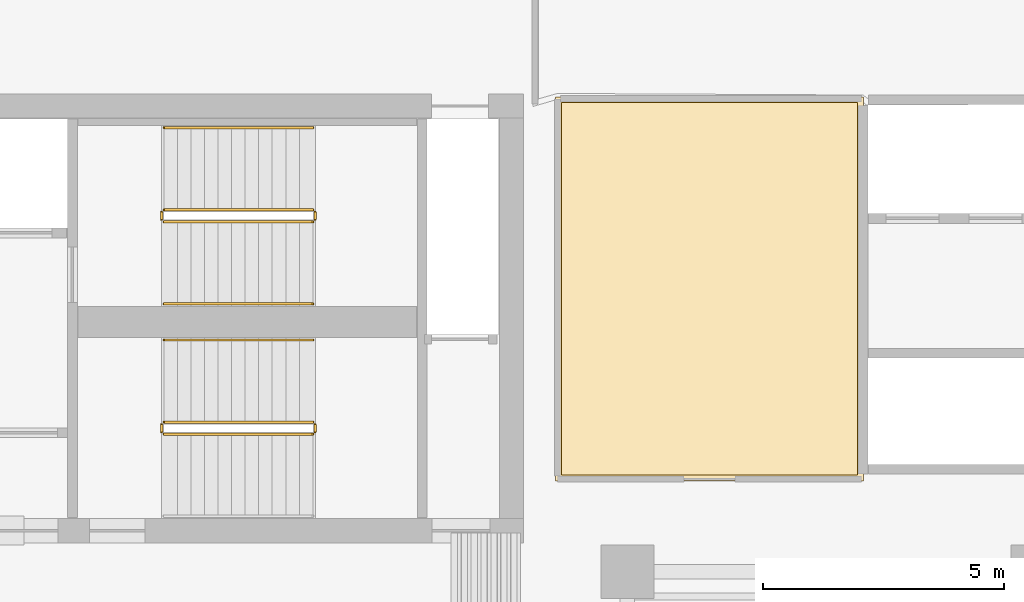
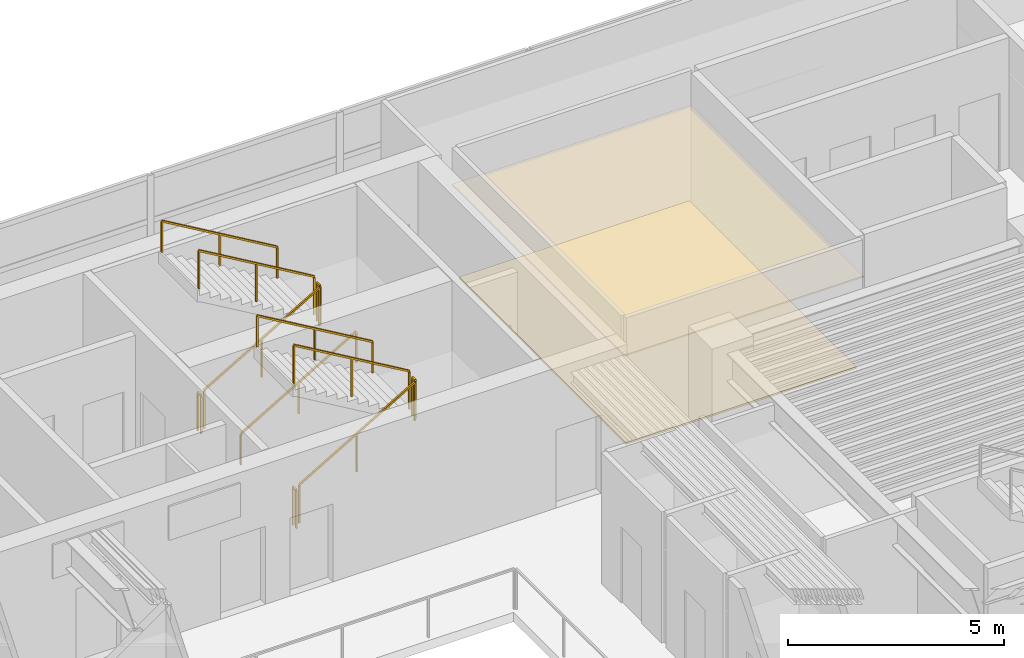
# One storey, part 12 of 13: 11 railings, 2 coverings.
"""IFC4 building model written with IfcOpenShell, lengths in metres."""

from ifc_helpers import new_model, si_unit, direction, frame, origin, origin_2d, place, context, subcontext, project, spatial, polyline, rectangle, outline, extrude, material, layer, layer_set, type_object, element, save


model = new_model("IFC4")

# Units and contexts
model_context = context("Model", 3, precision=1e-05, world=origin(), true_north=direction((0.0, 1.0)))
body_context = subcontext(model_context, "Body", "Model", "MODEL_VIEW")
ifc_project = project(units=[si_unit("LENGTHUNIT", "METRE"), si_unit("AREAUNIT", "SQUARE_METRE"), si_unit("VOLUMEUNIT", "CUBIC_METRE"), si_unit("PLANEANGLEUNIT", "RADIAN"), si_unit("MASSUNIT", "GRAM", prefix="KILO")], contexts=[model_context])

# Site, building, storey
site_placement = place(None, origin())
site = spatial("IfcSite", under=ifc_project, at=site_placement, CompositionType="ELEMENT")
building_placement = place(site_placement, origin())
building = spatial("IfcBuilding", under=site, at=building_placement, Name="Caeloran Harvest Quay", CompositionType="ELEMENT")
storey_placement = place(building_placement, frame((0.0, 0.0, 131.14990234375)))
storey = spatial("IfcBuildingStorey", under=building, at=storey_placement, Name="L30", CompositionType="ELEMENT", Elevation=131.14990234375)

# Coverings
ifc_material_1 = material(Name="Perforated Mineral-Fibre Acoustic Ceiling Tile", Category="ceiling")
ifc_layer_1 = layer(ifc_material_1, 0.0400390625, Name="Perforated Mineral-Fibre Acoustic Ceiling Tile")
ifc_layer_set_1 = layer_set([ifc_layer_1], Name="Perforated Mineral-Fibre Acoustic Ceiling Tile")
covering_type_1 = type_object("IfcCoveringType", Name="COV-CEILING-ACOUSTIC", PredefinedType="CEILING", material=ifc_layer_set_1)
covering_1_placement = place(storey_placement, frame((0.0, 0.0, 2.60009765625)))
element("IfcCovering", 1, at=covering_1_placement, inside=storey, type_object=covering_type_1, Name="L30 Bioinformatics and Crop Phenotyping Laboratory Acoustic Ceiling", PredefinedType="CEILING", context=body_context, shape_type="SweptSolid", body=[
    extrude(outline(polyline([(30.389892578125, 40.840087890625), (30.389892578125, 32.8798828125), (24.010009765625, 32.8798828125), (24.010009765625, 40.840087890625), (30.389892578125, 40.840087890625)])), origin(), (0.0, 0.0, 1.0), 0.0400390625),
])
ifc_material_2 = material(Name="Calcium-Sulphate Raised Access Floor and Terrazzo Finish", Category="flooring")
ifc_layer_2 = layer(ifc_material_2, 0.050048828125, Name="Calcium-Sulphate Raised Access Floor and Terrazzo Finish")
ifc_layer_set_2 = layer_set([ifc_layer_2], Name="Calcium-Sulphate Raised Access Floor and Terrazzo Finish")
covering_type_2 = type_object("IfcCoveringType", Name="COV-FLOOR-RAISED", PredefinedType="FLOORING", material=ifc_layer_set_2)
covering_2_placement = place(storey_placement, origin())
element("IfcCovering", 2, at=covering_2_placement, inside=storey, type_object=covering_type_2, Name="L30 Bioinformatics and Crop Phenotyping Laboratory Raised Finish Flooring", PredefinedType="FLOORING", context=body_context, shape_type="SweptSolid", body=[
    extrude(outline(polyline([(30.27001953125, 40.719970703125), (30.27001953125, 33.0), (24.1298828125, 33.0), (24.1298828125, 40.719970703125), (30.27001953125, 40.719970703125)])), origin(), (0.0, 0.0, 1.0), 0.050048828125),
])

# Railings
ifc_material_3 = material(Name="Painted Steel Baluster and Top-Rail Stair Guard", Category="steel")
ifc_layer_3 = layer(ifc_material_3, 0.050048828125, Name="Painted Steel Baluster and Top-Rail Stair Guard")
ifc_layer_set_3 = layer_set([ifc_layer_3], Name="Painted Steel Baluster and Top-Rail Stair Guard")
railing_type_1 = type_object("IfcRailingType", Name="STAIR-GUARD-1100", PredefinedType="GUARDRAIL", material=ifc_layer_set_3)
railing_1_placement = place(storey_placement, frame((15.89990234375, 38.25, 0.164794921875)))
element("IfcRailing", 3, at=railing_1_placement, inside=storey, type_object=railing_type_1, Name="L30 ST-C1 stair guard 1", PredefinedType="GUARDRAIL", context=body_context, shape_type="SweptSolid", body=[
    extrude(rectangle(XDim=0.048095703125, YDim=0.048095703125, at=origin_2d()), frame((0.0, 0.0, 1.076171875), z_axis=(0.862118610829, 0.0, 0.506706523406), x_axis=(0.0, 1.0, 0.0)), (0.0, 0.0, 1.0), 3.57275390625),
    extrude(rectangle(XDim=0.0419921875, YDim=0.0419921875, at=origin_2d()), origin(), (0.0, 0.0, 1.0), 1.052001953125),
    extrude(rectangle(XDim=0.0419921875, YDim=0.0419921875, at=origin_2d()), frame((1.5400390625, 0.0, 0.9052734375)), (0.0, 0.0, 1.0), 1.052001953125),
    extrude(rectangle(XDim=0.0419921875, YDim=0.0419921875, at=origin_2d()), frame((3.080078125, 0.0, 1.810302734375)), (0.0, 0.0, 1.0), 1.052001953125),
])
railing_2_placement = place(storey_placement, frame((19.030029296875, 38.300048828125, 1.97509765625)))
element("IfcRailing", 4, at=railing_2_placement, inside=storey, type_object=railing_type_1, Name="L30 ST-C1 stair guard 2", PredefinedType="GUARDRAIL", context=body_context, shape_type="SweptSolid", body=[
    extrude(rectangle(XDim=0.048095703125, YDim=0.048095703125, at=origin_2d()), frame((0.0, 0.0, 1.076171875), z_axis=(0.0, 1.0, 0.0), x_axis=(-1.0, 0.0, 0.0)), (0.0, 0.0, 1.0), 0.14990234375),
    extrude(rectangle(XDim=0.0419921875, YDim=0.0419921875, at=origin_2d()), origin(), (0.0, 0.0, 1.0), 1.052001953125),
    extrude(rectangle(XDim=0.0419921875, YDim=0.0419921875, at=origin_2d()), frame((0.0, 0.14990234375, 0.0)), (0.0, 0.0, 1.0), 1.052001953125),
])
railing_3_placement = place(storey_placement, frame((18.97998046875, 38.5, 2.1396484375)))
element("IfcRailing", 5, at=railing_3_placement, inside=storey, type_object=railing_type_1, Name="L30 ST-C1 stair guard 3", PredefinedType="GUARDRAIL", context=body_context, shape_type="SweptSolid", body=[
    extrude(rectangle(XDim=0.048095703125, YDim=0.048095703125, at=origin_2d()), frame((0.0, 0.0, 1.076171875), z_axis=(-0.862088758681, 0.0, 0.506757310905), x_axis=(0.0, -1.0, 0.0)), (0.0, 0.0, 1.0), 3.57275390625),
    extrude(rectangle(XDim=0.0419921875, YDim=0.0419921875, at=origin_2d()), origin(), (0.0, 0.0, 1.0), 1.052001953125),
    extrude(rectangle(XDim=0.0419921875, YDim=0.0419921875, at=origin_2d()), frame((-1.5400390625, 0.0, 0.9052734375)), (0.0, 0.0, 1.0), 1.052001953125),
    extrude(rectangle(XDim=0.0419921875, YDim=0.0419921875, at=origin_2d()), frame((-3.080078125, 0.0, 1.810546875)), (0.0, 0.0, 1.0), 1.052001953125),
])
railing_4_placement = place(storey_placement, frame((15.85009765625, 38.300048828125, 0.0)))
element("IfcRailing", 6, at=railing_4_placement, inside=storey, type_object=railing_type_1, Name="L30 ST-C1 stair guard 4", PredefinedType="GUARDRAIL", context=body_context, shape_type="SweptSolid", body=[
    extrude(rectangle(XDim=0.048095703125, YDim=0.048095703125, at=origin_2d()), frame((0.0, 0.0, 1.076171875), z_axis=(0.0, 1.0, 0.0), x_axis=(-1.0, 0.0, 0.0)), (0.0, 0.0, 1.0), 0.14990234375),
    extrude(rectangle(XDim=0.0419921875, YDim=0.0419921875, at=origin_2d()), origin(), (0.0, 0.0, 1.0), 1.052001953125),
    extrude(rectangle(XDim=0.0419921875, YDim=0.0419921875, at=origin_2d()), frame((0.0, 0.14990234375, 0.0)), (0.0, 0.0, 1.0), 1.052001953125),
])
railing_5_placement = place(storey_placement, frame((15.89990234375, 33.85009765625, 0.164794921875)))
element("IfcRailing", 7, at=railing_5_placement, inside=storey, type_object=railing_type_1, Name="L30 ST-C2 stair guard 1", PredefinedType="GUARDRAIL", context=body_context, shape_type="SweptSolid", body=[
    extrude(rectangle(XDim=0.048095703125, YDim=0.048095703125, at=origin_2d()), frame((0.0, 0.0, 1.076171875), z_axis=(0.862118610829, 0.0, 0.506706523406), x_axis=(0.0, 1.0, 0.0)), (0.0, 0.0, 1.0), 3.57275390625),
    extrude(rectangle(XDim=0.0419921875, YDim=0.0419921875, at=origin_2d()), origin(), (0.0, 0.0, 1.0), 1.052001953125),
    extrude(rectangle(XDim=0.0419921875, YDim=0.0419921875, at=origin_2d()), frame((1.5400390625, 0.0, 0.9052734375)), (0.0, 0.0, 1.0), 1.052001953125),
    extrude(rectangle(XDim=0.0419921875, YDim=0.0419921875, at=origin_2d()), frame((3.080078125, 0.0, 1.810302734375)), (0.0, 0.0, 1.0), 1.052001953125),
])
railing_6_placement = place(storey_placement, frame((19.030029296875, 33.89990234375, 1.97509765625)))
element("IfcRailing", 8, at=railing_6_placement, inside=storey, type_object=railing_type_1, Name="L30 ST-C2 stair guard 2", PredefinedType="GUARDRAIL", context=body_context, shape_type="SweptSolid", body=[
    extrude(rectangle(XDim=0.048095703125, YDim=0.048095703125, at=origin_2d()), frame((0.0, 0.0, 1.076171875), z_axis=(0.0, 1.0, 0.0), x_axis=(-1.0, 0.0, 0.0)), (0.0, 0.0, 1.0), 0.150146484375),
    extrude(rectangle(XDim=0.0419921875, YDim=0.0419921875, at=origin_2d()), origin(), (0.0, 0.0, 1.0), 1.052001953125),
    extrude(rectangle(XDim=0.0419921875, YDim=0.0419921875, at=origin_2d()), frame((0.0, 0.150146484375, 0.0)), (0.0, 0.0, 1.0), 1.052001953125),
])
railing_7_placement = place(storey_placement, frame((18.97998046875, 34.10009765625, 2.1396484375)))
element("IfcRailing", 9, at=railing_7_placement, inside=storey, type_object=railing_type_1, Name="L30 ST-C2 stair guard 3", PredefinedType="GUARDRAIL", context=body_context, shape_type="SweptSolid", body=[
    extrude(rectangle(XDim=0.048095703125, YDim=0.048095703125, at=origin_2d()), frame((0.0, 0.0, 1.076171875), z_axis=(-0.862088758681, 0.0, 0.506757310905), x_axis=(0.0, -1.0, 0.0)), (0.0, 0.0, 1.0), 3.57275390625),
    extrude(rectangle(XDim=0.0419921875, YDim=0.0419921875, at=origin_2d()), origin(), (0.0, 0.0, 1.0), 1.052001953125),
    extrude(rectangle(XDim=0.0419921875, YDim=0.0419921875, at=origin_2d()), frame((-1.5400390625, 0.0, 0.9052734375)), (0.0, 0.0, 1.0), 1.052001953125),
    extrude(rectangle(XDim=0.0419921875, YDim=0.0419921875, at=origin_2d()), frame((-3.080078125, 0.0, 1.810546875)), (0.0, 0.0, 1.0), 1.052001953125),
])
railing_8_placement = place(storey_placement, frame((15.85009765625, 33.89990234375, 0.0)))
element("IfcRailing", 10, at=railing_8_placement, inside=storey, type_object=railing_type_1, Name="L30 ST-C2 stair guard 4", PredefinedType="GUARDRAIL", context=body_context, shape_type="SweptSolid", body=[
    extrude(rectangle(XDim=0.048095703125, YDim=0.048095703125, at=origin_2d()), frame((0.0, 0.0, 1.076171875), z_axis=(0.0, 1.0, 0.0), x_axis=(-1.0, 0.0, 0.0)), (0.0, 0.0, 1.0), 0.150146484375),
    extrude(rectangle(XDim=0.0419921875, YDim=0.0419921875, at=origin_2d()), origin(), (0.0, 0.0, 1.0), 1.052001953125),
    extrude(rectangle(XDim=0.0419921875, YDim=0.0419921875, at=origin_2d()), frame((0.0, 0.150146484375, 0.0)), (0.0, 0.0, 1.0), 1.052001953125),
])
ifc_material_4 = material(Name="Brushed Stainless Steel Grade 304", Category="steel")
ifc_layer_4 = layer(ifc_material_4, 0.050048828125, Name="Brushed Stainless Steel Grade 304")
ifc_layer_set_4 = layer_set([ifc_layer_4], Name="Brushed Stainless Steel Grade 304")
railing_type_2 = type_object("IfcRailingType", Name="STAIR-HANDRAIL-900", PredefinedType="HANDRAIL", material=ifc_layer_set_4)
railing_9_placement = place(storey_placement, frame((15.89990234375, 36.550048828125, 0.164794921875)))
element("IfcRailing", 11, at=railing_9_placement, inside=storey, type_object=railing_type_2, Name="L30 ST-C1 stair handrail 1", PredefinedType="HANDRAIL", context=body_context, shape_type="SweptSolid", body=[
    extrude(rectangle(XDim=0.048095703125, YDim=0.048095703125, at=origin_2d()), frame((0.0, 0.0, 0.8759765625), z_axis=(0.862118610829, 0.0, 0.506706523406), x_axis=(0.0, 1.0, 0.0)), (0.0, 0.0, 1.0), 3.57275390625),
    extrude(rectangle(XDim=0.0419921875, YDim=0.0419921875, at=origin_2d()), origin(), (0.0, 0.0, 1.0), 0.851806640625),
    extrude(rectangle(XDim=0.0419921875, YDim=0.0419921875, at=origin_2d()), frame((1.5400390625, 0.0, 0.9052734375)), (0.0, 0.0, 1.0), 0.851806640625),
    extrude(rectangle(XDim=0.0419921875, YDim=0.0419921875, at=origin_2d()), frame((3.080078125, 0.0, 1.810302734375)), (0.0, 0.0, 1.0), 0.851806640625),
])
for number, where, name in (
    (12, (18.97998046875, 40.199951171875, 2.1396484375), "L30 ST-C1 stair handrail 2"),
    (13, (18.97998046875, 35.800048828125, 2.1396484375), "L30 ST-C2 stair handrail 2"),
):
    element("IfcRailing", number, at=place(storey_placement, frame(where)), inside=storey, type_object=railing_type_2, Name=name, PredefinedType="HANDRAIL", context=body_context, shape_type="SweptSolid", body=[
        extrude(rectangle(XDim=0.048095703125, YDim=0.048095703125, at=origin_2d()), frame((0.0, 0.0, 0.8759765625), z_axis=(-0.862088758681, 0.0, 0.506757310905), x_axis=(0.0, -1.0, 0.0)), (0.0, 0.0, 1.0), 3.57275390625),
        extrude(rectangle(XDim=0.0419921875, YDim=0.0419921875, at=origin_2d()), origin(), (0.0, 0.0, 1.0), 0.851806640625),
        extrude(rectangle(XDim=0.0419921875, YDim=0.0419921875, at=origin_2d()), frame((-1.5400390625, 0.0, 0.9052734375)), (0.0, 0.0, 1.0), 0.851806640625),
        extrude(rectangle(XDim=0.0419921875, YDim=0.0419921875, at=origin_2d()), frame((-3.080078125, 0.0, 1.810546875)), (0.0, 0.0, 1.0), 0.851806640625),
    ])

save(model, "model.ifc")
